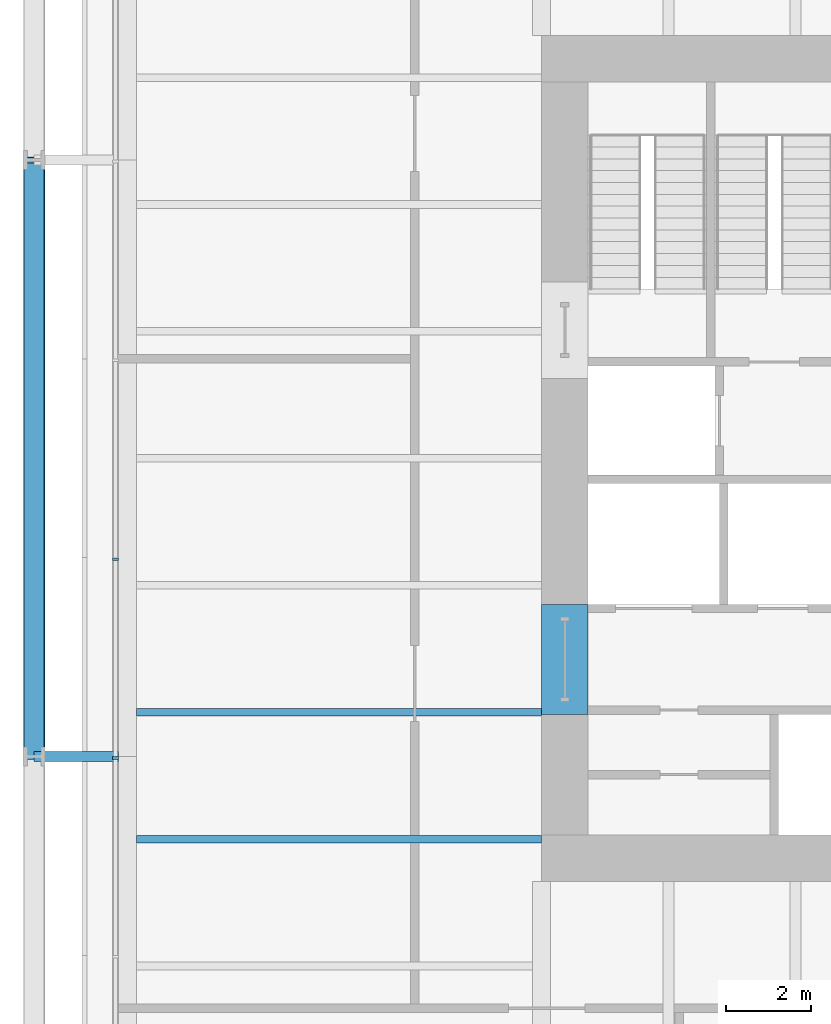
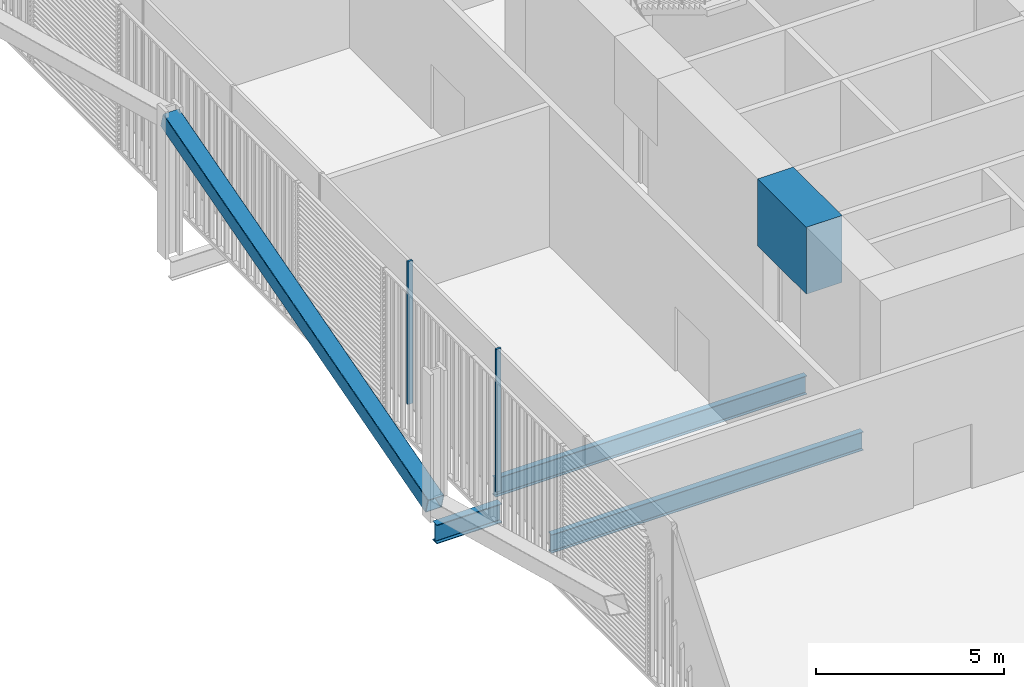
# One storey, part 5 of 22: 4 beams, 3 members, 1 element without a shape of its own.
"""IFC4 building model written with IfcOpenShell, lengths in metres."""

from ifc_helpers import new_model, si_unit, direction, frame, origin, origin_2d, place, context, subcontext, project, spatial, rectangle, hollow_rectangle, i_section, extrude, material, layer, layer_set, material_profile, profile_set, type_object, element, aggregate, save


model = new_model("IFC4")

# Units and contexts
model_context = context("Model", 3, precision=1e-05, world=origin(), true_north=direction((0.0, 1.0)))
body_context = subcontext(model_context, "Body", "Model", "MODEL_VIEW")
ifc_project = project(units=[si_unit("LENGTHUNIT", "METRE"), si_unit("AREAUNIT", "SQUARE_METRE"), si_unit("VOLUMEUNIT", "CUBIC_METRE"), si_unit("PLANEANGLEUNIT", "RADIAN"), si_unit("MASSUNIT", "GRAM", prefix="KILO")], contexts=[model_context])

# Site, building, storey
site_placement = place(None, origin())
site = spatial("IfcSite", under=ifc_project, at=site_placement, CompositionType="ELEMENT")
building_placement = place(site_placement, origin())
building = spatial("IfcBuilding", under=site, at=building_placement, Name="Millrace Tower", CompositionType="ELEMENT")
storey_placement = place(building_placement, frame((0.0, 0.0, 30.5)))
storey = spatial("IfcBuildingStorey", under=building, at=storey_placement, Name="L07", CompositionType="ELEMENT", Elevation=30.5)

# Curtain wall, members
ifc_material_1 = material(Name="Aluminium and glass", Category="aluminium")
ifc_layer = layer(ifc_material_1, 0.14990234375)
ifc_layer_set = layer_set([ifc_layer], Name="Aluminium and glass")
curtain_wall_type = type_object("IfcCurtainWallType", Name="CW-2 data hall insulated curtain wall", PredefinedType="NOTDEFINED", material=ifc_layer_set)
curtain_wall_placement = place(storey_placement, origin())
curtain_wall = element("IfcCurtainWall", 1, at=curtain_wall_placement, inside=storey, type_object=curtain_wall_type, Name="Curtain wall A-F08 L07", PredefinedType="NOTDEFINED")
ifc_material_2 = material(Name="Aluminium", Category="aluminium")
ifc_material_profile_1 = material_profile(ifc_material_2, rectangle(XDim=0.06494140625, YDim=0.14990234375, at=origin_2d()))
ifc_profile_set_1 = profile_set([ifc_material_profile_1], Name="Aluminium")
member_type_1 = type_object("IfcMemberType", Name="CW-2 data hall insulated curtain wall mullion", PredefinedType="MULLION", material=ifc_profile_set_1)
member_1_placement = place(storey_placement, frame((-25.074951171875, -2.382568359375, 0.159912109375), z_axis=(0.0, 0.0, 1.0), x_axis=(0.0, -1.0, 0.0)))
member_1 = element("IfcMember", 2, at=member_1_placement, type_object=member_type_1, Name="CW2 mullion A-F08.6", PredefinedType="MULLION", context=body_context, shape_type="SweptSolid", body=[
    extrude(rectangle(XDim=0.06494140625, YDim=0.14990234375, at=origin_2d()), origin(), (0.0, 0.0, 1.0), 4.64013671875),
])
member_2_placement = place(storey_placement, frame((-25.074951171875, -7.08251953125, 0.159912109375), z_axis=(0.0, 0.0, 1.0), x_axis=(0.0, -1.0, 0.0)))
member_2 = element("IfcMember", 3, at=member_2_placement, type_object=member_type_1, Name="CW2 mullion A-F08.7", PredefinedType="MULLION", context=body_context, shape_type="SweptSolid", body=[
    extrude(rectangle(XDim=0.06494140625, YDim=0.14990234375, at=origin_2d()), origin(), (0.0, 0.0, 1.0), 4.64013671875),
])
aggregate(curtain_wall, [member_1, member_2])

# Beam
ifc_material_3 = material(Name="Concrete C80", Category="concrete")
ifc_material_profile_2 = material_profile(ifc_material_3, rectangle(XDim=1.10009765625, YDim=2.175048828125, at=origin_2d()))
ifc_profile_set_2 = profile_set([ifc_material_profile_2], Name="Concrete C80")
beam_type_1 = type_object("IfcBeamType", Name="Coupling beam 1100 x 2175 Concrete C80, 2000 opening", PredefinedType="BEAM", material=ifc_profile_set_2)
beam_1_placement = place(storey_placement, frame((-14.449951171875, -6.050048828125, 3.487548828125), z_axis=(0.0, 1.0, 0.0), x_axis=(-1.0, 0.0, 0.0)))
element("IfcBeam", 4, at=beam_1_placement, inside=storey, type_object=beam_type_1, Name="Coupling beam W L07", PredefinedType="BEAM", context=body_context, shape_type="SweptSolid", body=[
    extrude(rectangle(XDim=1.10009765625, YDim=2.175048828125, at=origin_2d()), origin(), (0.0, 0.0, 1.0), 2.60009765625),
])

# Member
ifc_material_4 = material(Name="Steel ASTM A500 Grade C", Category="steel")
ifc_material_profile_3 = material_profile(ifc_material_4, hollow_rectangle(XDim=0.508056640625, YDim=0.508056640625, WallThickness=0.022216796875, InnerFilletRadius=0.01123046875, OuterFilletRadius=0.033447265625, at=origin_2d()))
ifc_profile_set_3 = profile_set([ifc_material_profile_3], Name="Steel ASTM A500 Grade C")
member_type_2 = type_object("IfcMemberType", Name="Exoskeleton brace HSS20x20x7/8", PredefinedType="BRACE", material=ifc_profile_set_3)
member_3_placement = place(storey_placement, frame((-27.0, -7.050048828125, 0.39990234375), z_axis=(0.0, 0.962037695102, 0.272916604851), x_axis=(-1.0, 0.0, 0.0)))
element("IfcMember", 5, at=member_3_placement, inside=storey, type_object=member_type_2, Name="BRC-A-L07-15", PredefinedType="BRACE", context=body_context, shape_type="SweptSolid", body=[
    extrude(hollow_rectangle(XDim=0.508056640625, YDim=0.508056640625, WallThickness=0.022216796875, InnerFilletRadius=0.01123046875, OuterFilletRadius=0.033447265625, at=origin_2d()), origin(), (0.0, 0.0, 1.0), 14.656494140625),
])

# Beams
ifc_material_5 = material(Name="Steel ASTM A992 Grade 50", Category="steel")
ifc_material_profile_4 = material_profile(ifc_material_5, i_section(OverallWidth=0.1787109375, OverallDepth=0.60205078125, WebThickness=0.010986328125, FlangeThickness=0.014892578125, FilletRadius=0.0126953125, at=origin_2d()))
ifc_profile_set_4 = profile_set([ifc_material_profile_4], Name="Steel ASTM A992 Grade 50")
beam_type_2 = type_object("IfcBeamType", Name="Floor beam W24x62", PredefinedType="JOIST", material=ifc_profile_set_4)
for number, where, z_axis, x_axis, name in (
    (6, (-24.578369140625, -9.0, -0.52587890625), (1.0, 0.0, 0.0), (0.0, 1.0, 0.0), "BM-A-L07-S1-S012"),
    (7, (-24.578369140625, -6.0, -0.52587890625), (1.0, 0.0, 0.0), (0.0, 1.0, 0.0), "BM-A-L07-S1-S015"),
):
    element("IfcBeam", number, at=place(storey_placement, frame(where, z_axis=z_axis, x_axis=x_axis)), inside=storey, type_object=beam_type_2, Name=name, PredefinedType="JOIST", context=body_context, shape_type="SweptSolid", body=[
        extrude(i_section(OverallWidth=0.1787109375, OverallDepth=0.60205078125, WebThickness=0.010986328125, FlangeThickness=0.014892578125, FilletRadius=0.0126953125, at=origin_2d()), origin(), (0.0, 0.0, 1.0), 9.578369140625),
    ])
ifc_material_6 = material(Name="Steel ASTM A992 Grade 50", Category="steel")
ifc_material_profile_5 = material_profile(ifc_material_6, i_section(OverallWidth=0.23046875, OverallDepth=0.6171875, WebThickness=0.01318359375, FlangeThickness=0.022216796875, FilletRadius=0.012939453125, at=origin_2d()))
ifc_profile_set_5 = profile_set([ifc_material_profile_5], Name="Steel ASTM A992 Grade 50")
beam_type_3 = type_object("IfcBeamType", Name="Link beam W24x94", PredefinedType="BEAM", material=ifc_profile_set_5)
beam_2_placement = place(storey_placement, frame((-25.0, -7.050048828125, -0.53369140625), z_axis=(-1.0, 0.0, 0.0), x_axis=(0.0, -1.0, 0.0)))
element("IfcBeam", 8, at=beam_2_placement, inside=storey, type_object=beam_type_3, Name="LNK-A-L07-S1-02", PredefinedType="BEAM", context=body_context, shape_type="SweptSolid", body=[
    extrude(i_section(OverallWidth=0.23046875, OverallDepth=0.6171875, WebThickness=0.01318359375, FlangeThickness=0.022216796875, FilletRadius=0.012939453125, at=origin_2d()), origin(), (0.0, 0.0, 1.0), 2.0),
])

save(model, "model.ifc")
